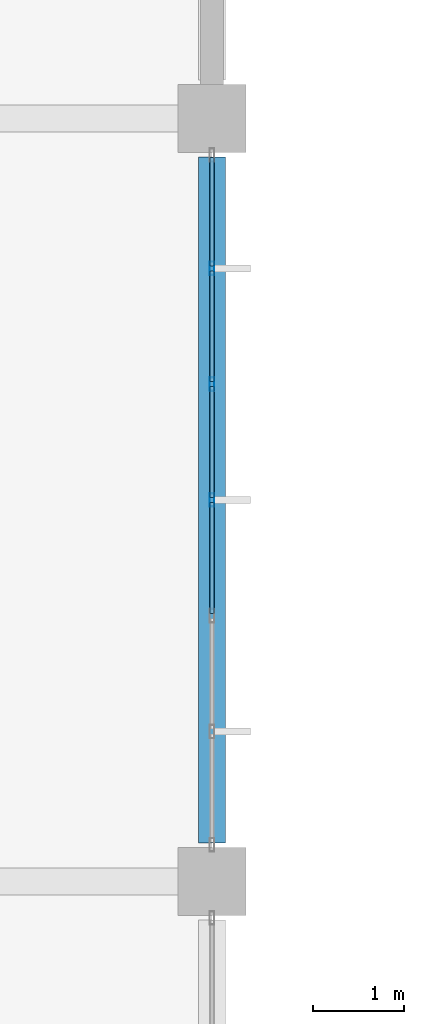
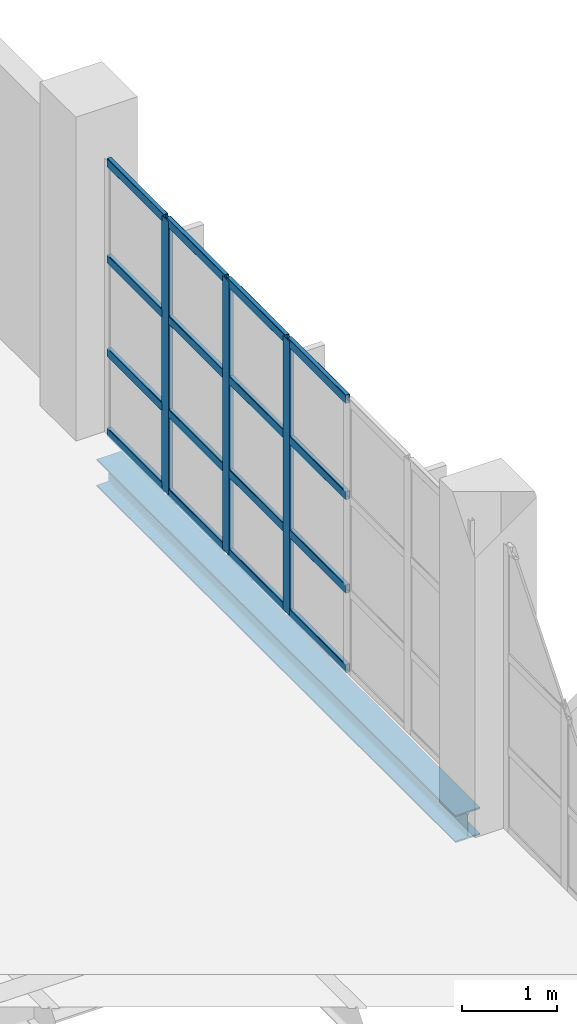
# One storey, part 59 of 177: 19 members, 1 beam, 1 element without a shape of its own.
"""IFC4 building model written with IfcOpenShell, lengths in metres."""

from ifc_helpers import new_model, si_unit, direction, frame, origin, origin_2d, place, context, subcontext, project, spatial, hollow_rectangle, i_section, extrude, material, layer, layer_set, material_profile, profile_set, type_object, element, aggregate, save


model = new_model("IFC4")

# Units and contexts
model_context = context("Model", 3, precision=1e-05, world=origin(), true_north=direction((0.0, 1.0)))
body_context = subcontext(model_context, "Body", "Model", "MODEL_VIEW")
ifc_project = project(units=[si_unit("LENGTHUNIT", "METRE"), si_unit("AREAUNIT", "SQUARE_METRE"), si_unit("VOLUMEUNIT", "CUBIC_METRE"), si_unit("PLANEANGLEUNIT", "RADIAN"), si_unit("MASSUNIT", "GRAM", prefix="KILO"), si_unit("THERMODYNAMICTEMPERATUREUNIT", "KELVIN"), si_unit("POWERUNIT", "WATT")], contexts=[model_context])

# Site, building, storey
site_placement = place(None, origin())
site = spatial("IfcSite", under=ifc_project, at=site_placement, CompositionType="ELEMENT")
building_placement = place(site_placement, origin())
building = spatial("IfcBuilding", under=site, at=building_placement, Name="Mavoryth Pier Ferry Terminal", CompositionType="ELEMENT")
storey_placement = place(building_placement, frame((0.0, 0.0, 5.43994140625)))
storey = spatial("IfcBuildingStorey", under=building, at=storey_placement, Name="L01", CompositionType="ELEMENT", Elevation=5.43994140625)

# Curtain wall, members
ifc_material_1 = material(Name="Anodised Aluminium and Solar-Control Low-E Glass", Category="aluminium")
ifc_layer = layer(ifc_material_1, 0.199951171875, Name="Anodised Aluminium and Solar-Control Low-E Glass", Category="aluminium")
ifc_layer_set = layer_set([ifc_layer], Name="Anodised Aluminium and Solar-Control Low-E Glass - CW-Concourse-Mod1200")
curtain_wall_type = type_object("IfcCurtainWallType", Name="CW-Concourse-Mod1200", PredefinedType="USERDEFINED", material=ifc_layer_set)
curtain_wall_placement = place(storey_placement, origin())
curtain_wall = element("IfcCurtainWall", 1, at=curtain_wall_placement, inside=storey, type_object=curtain_wall_type, Name="Curtain Wall CW-0111-020", ObjectType="UNITISED CURTAIN WALL", PredefinedType="USERDEFINED")
ifc_material_2 = material(Name="Anodised Aluminium EN AW-6063", Category="aluminium")
ifc_material_profile_1 = material_profile(ifc_material_2, hollow_rectangle(XDim=0.054931640625, YDim=0.14990234375, WallThickness=0.00390625, InnerFilletRadius=0.00390625, OuterFilletRadius=0.008056640625, at=origin_2d()), Name="AL-MULL 150x55x4", Category="aluminium")
ifc_profile_set_1 = profile_set([ifc_material_profile_1], Name="Anodised Aluminium EN AW-6063 - AL-MULL 150x55x4")
member_type_1 = type_object("IfcMemberType", Name="Mullion-Alum-150x55", PredefinedType="MULLION", material=ifc_profile_set_1)
member_1_placement = place(storey_placement, frame((33.60009765625, 76.60009765625, 0.0), z_axis=(0.0, 0.0, 1.0), x_axis=(-1.0, 0.0, 0.0)))
member_1 = element("IfcMember", 2, at=member_1_placement, type_object=member_type_1, Name="CW02 mullion 4", PredefinedType="MULLION", context=body_context, shape_type="SweptSolid", body=[
    extrude(hollow_rectangle(XDim=0.054931640625, YDim=0.14990234375, WallThickness=0.00390625, InnerFilletRadius=0.00390625, OuterFilletRadius=0.008056640625, at=origin_2d()), origin(), (0.0, 0.0, 1.0), 3.51513671875),
])
member_2_placement = place(storey_placement, frame((33.60009765625, 77.875, 0.0), z_axis=(0.0, 0.0, 1.0), x_axis=(-1.0, 0.0, 0.0)))
member_2 = element("IfcMember", 3, at=member_2_placement, type_object=member_type_1, Name="CW02 mullion 5", PredefinedType="MULLION", context=body_context, shape_type="SweptSolid", body=[
    extrude(hollow_rectangle(XDim=0.054931640625, YDim=0.14990234375, WallThickness=0.00390625, InnerFilletRadius=0.00390625, OuterFilletRadius=0.008056640625, at=origin_2d()), origin(), (0.0, 0.0, 1.0), 3.51513671875),
])
member_3_placement = place(storey_placement, frame((33.60009765625, 79.14990234375, 0.0), z_axis=(0.0, 0.0, 1.0), x_axis=(-1.0, 0.0, 0.0)))
member_3 = element("IfcMember", 4, at=member_3_placement, type_object=member_type_1, Name="CW02 mullion 6", PredefinedType="MULLION", context=body_context, shape_type="SweptSolid", body=[
    extrude(hollow_rectangle(XDim=0.054931640625, YDim=0.14990234375, WallThickness=0.00390625, InnerFilletRadius=0.00390625, OuterFilletRadius=0.008056640625, at=origin_2d()), origin(), (0.0, 0.0, 1.0), 3.51513671875),
])

# Beam
ifc_material_3 = material(Name="Steel S355J2", Category="steel")
ifc_material_profile_2 = material_profile(ifc_material_3, i_section(OverallWidth=0.300048828125, OverallDepth=0.35009765625, WebThickness=0.010009765625, FlangeThickness=0.017578125, FilletRadius=0.027099609375, at=origin_2d()), Name="HEA 360", Category="steel")
ifc_profile_set_2 = profile_set([ifc_material_profile_2], Name="Steel S355J2 - HEA 360")
beam_type = type_object("IfcBeamType", Name="Spandrel-Steel-HEA360", PredefinedType="SPANDREL", material=ifc_profile_set_2)
beam_placement = place(storey_placement, frame((33.60009765625, 72.824951171875, -0.454833984375), z_axis=(0.0, 1.0, 0.0), x_axis=(-1.0, 0.0, 0.0)))
element("IfcBeam", 5, at=beam_placement, inside=storey, type_object=beam_type, Name="Beam B01-SP03-0107", PredefinedType="SPANDREL", context=body_context, shape_type="SweptSolid", body=[
    extrude(i_section(OverallWidth=0.300048828125, OverallDepth=0.35009765625, WebThickness=0.010009765625, FlangeThickness=0.017578125, FilletRadius=0.027099609375, at=origin_2d()), origin(), (0.0, 0.0, 1.0), 7.550048828125),
])

# Member
ifc_material_profile_3 = material_profile(ifc_material_2, hollow_rectangle(XDim=0.054931640625, YDim=0.110107421875, WallThickness=0.00390625, InnerFilletRadius=0.00390625, OuterFilletRadius=0.008056640625, at=origin_2d()), Name="AL-TRAN 110x55x4", Category="aluminium")
ifc_profile_set_3 = profile_set([ifc_material_profile_3], Name="Anodised Aluminium EN AW-6063 - AL-TRAN 110x55x4")
member_type_2 = type_object("IfcMemberType", Name="Transom-Alum-110x55", PredefinedType="USERDEFINED", material=ifc_profile_set_3)
member_4_placement = place(storey_placement, frame((33.60009765625, 75.3525390625, 0.027587890625), z_axis=(0.0, 1.0, 0.0), x_axis=(-1.0, 0.0, 0.0)))
member_4 = element("IfcMember", 6, at=member_4_placement, type_object=member_type_2, Name="CW02 transom 3.1", ObjectType="TRANSOM", PredefinedType="USERDEFINED", context=body_context, shape_type="SweptSolid", body=[
    extrude(hollow_rectangle(XDim=0.054931640625, YDim=0.110107421875, WallThickness=0.00390625, InnerFilletRadius=0.00390625, OuterFilletRadius=0.008056640625, at=origin_2d()), origin(), (0.0, 0.0, 1.0), 1.219970703125),
])

member_5_placement = place(storey_placement, frame((33.60009765625, 75.3525390625, 1.050048828125), z_axis=(0.0, 1.0, 0.0), x_axis=(-1.0, 0.0, 0.0)))
member_5 = element("IfcMember", 7, at=member_5_placement, type_object=member_type_2, Name="CW02 transom 3.2", ObjectType="TRANSOM", PredefinedType="USERDEFINED", context=body_context, shape_type="SweptSolid", body=[
    extrude(hollow_rectangle(XDim=0.054931640625, YDim=0.110107421875, WallThickness=0.00390625, InnerFilletRadius=0.00390625, OuterFilletRadius=0.008056640625, at=origin_2d()), origin(), (0.0, 0.0, 1.0), 1.219970703125),
])

member_6_placement = place(storey_placement, frame((33.60009765625, 75.3525390625, 2.25), z_axis=(0.0, 1.0, 0.0), x_axis=(-1.0, 0.0, 0.0)))
member_6 = element("IfcMember", 8, at=member_6_placement, type_object=member_type_2, Name="CW02 transom 3.3", ObjectType="TRANSOM", PredefinedType="USERDEFINED", context=body_context, shape_type="SweptSolid", body=[
    extrude(hollow_rectangle(XDim=0.054931640625, YDim=0.110107421875, WallThickness=0.00390625, InnerFilletRadius=0.00390625, OuterFilletRadius=0.008056640625, at=origin_2d()), origin(), (0.0, 0.0, 1.0), 1.219970703125),
])

member_7_placement = place(storey_placement, frame((33.60009765625, 75.3525390625, 3.487548828125), z_axis=(0.0, 1.0, 0.0), x_axis=(-1.0, 0.0, 0.0)))
member_7 = element("IfcMember", 9, at=member_7_placement, type_object=member_type_2, Name="CW02 transom 3.4", ObjectType="TRANSOM", PredefinedType="USERDEFINED", context=body_context, shape_type="SweptSolid", body=[
    extrude(hollow_rectangle(XDim=0.054931640625, YDim=0.110107421875, WallThickness=0.00390625, InnerFilletRadius=0.00390625, OuterFilletRadius=0.008056640625, at=origin_2d()), origin(), (0.0, 0.0, 1.0), 1.219970703125),
])

member_8_placement = place(storey_placement, frame((33.60009765625, 76.62744140625, 0.027587890625), z_axis=(0.0, 1.0, 0.0), x_axis=(-1.0, 0.0, 0.0)))
member_8 = element("IfcMember", 10, at=member_8_placement, type_object=member_type_2, Name="CW02 transom 4.1", ObjectType="TRANSOM", PredefinedType="USERDEFINED", context=body_context, shape_type="SweptSolid", body=[
    extrude(hollow_rectangle(XDim=0.054931640625, YDim=0.110107421875, WallThickness=0.00390625, InnerFilletRadius=0.00390625, OuterFilletRadius=0.008056640625, at=origin_2d()), origin(), (0.0, 0.0, 1.0), 1.219970703125),
])

member_9_placement = place(storey_placement, frame((33.60009765625, 76.62744140625, 1.050048828125), z_axis=(0.0, 1.0, 0.0), x_axis=(-1.0, 0.0, 0.0)))
member_9 = element("IfcMember", 11, at=member_9_placement, type_object=member_type_2, Name="CW02 transom 4.2", ObjectType="TRANSOM", PredefinedType="USERDEFINED", context=body_context, shape_type="SweptSolid", body=[
    extrude(hollow_rectangle(XDim=0.054931640625, YDim=0.110107421875, WallThickness=0.00390625, InnerFilletRadius=0.00390625, OuterFilletRadius=0.008056640625, at=origin_2d()), origin(), (0.0, 0.0, 1.0), 1.219970703125),
])

member_10_placement = place(storey_placement, frame((33.60009765625, 76.62744140625, 2.25), z_axis=(0.0, 1.0, 0.0), x_axis=(-1.0, 0.0, 0.0)))
member_10 = element("IfcMember", 12, at=member_10_placement, type_object=member_type_2, Name="CW02 transom 4.3", ObjectType="TRANSOM", PredefinedType="USERDEFINED", context=body_context, shape_type="SweptSolid", body=[
    extrude(hollow_rectangle(XDim=0.054931640625, YDim=0.110107421875, WallThickness=0.00390625, InnerFilletRadius=0.00390625, OuterFilletRadius=0.008056640625, at=origin_2d()), origin(), (0.0, 0.0, 1.0), 1.219970703125),
])

member_11_placement = place(storey_placement, frame((33.60009765625, 76.62744140625, 3.487548828125), z_axis=(0.0, 1.0, 0.0), x_axis=(-1.0, 0.0, 0.0)))
member_11 = element("IfcMember", 13, at=member_11_placement, type_object=member_type_2, Name="CW02 transom 4.4", ObjectType="TRANSOM", PredefinedType="USERDEFINED", context=body_context, shape_type="SweptSolid", body=[
    extrude(hollow_rectangle(XDim=0.054931640625, YDim=0.110107421875, WallThickness=0.00390625, InnerFilletRadius=0.00390625, OuterFilletRadius=0.008056640625, at=origin_2d()), origin(), (0.0, 0.0, 1.0), 1.219970703125),
])

member_12_placement = place(storey_placement, frame((33.60009765625, 77.902587890625, 0.027587890625), z_axis=(0.0, 1.0, 0.0), x_axis=(-1.0, 0.0, 0.0)))
member_12 = element("IfcMember", 14, at=member_12_placement, type_object=member_type_2, Name="CW02 transom 5.1", ObjectType="TRANSOM", PredefinedType="USERDEFINED", context=body_context, shape_type="SweptSolid", body=[
    extrude(hollow_rectangle(XDim=0.054931640625, YDim=0.110107421875, WallThickness=0.00390625, InnerFilletRadius=0.00390625, OuterFilletRadius=0.008056640625, at=origin_2d()), origin(), (0.0, 0.0, 1.0), 1.219970703125),
])

member_13_placement = place(storey_placement, frame((33.60009765625, 77.902587890625, 1.050048828125), z_axis=(0.0, 1.0, 0.0), x_axis=(-1.0, 0.0, 0.0)))
member_13 = element("IfcMember", 15, at=member_13_placement, type_object=member_type_2, Name="CW02 transom 5.2", ObjectType="TRANSOM", PredefinedType="USERDEFINED", context=body_context, shape_type="SweptSolid", body=[
    extrude(hollow_rectangle(XDim=0.054931640625, YDim=0.110107421875, WallThickness=0.00390625, InnerFilletRadius=0.00390625, OuterFilletRadius=0.008056640625, at=origin_2d()), origin(), (0.0, 0.0, 1.0), 1.219970703125),
])

member_14_placement = place(storey_placement, frame((33.60009765625, 77.902587890625, 2.25), z_axis=(0.0, 1.0, 0.0), x_axis=(-1.0, 0.0, 0.0)))
member_14 = element("IfcMember", 16, at=member_14_placement, type_object=member_type_2, Name="CW02 transom 5.3", ObjectType="TRANSOM", PredefinedType="USERDEFINED", context=body_context, shape_type="SweptSolid", body=[
    extrude(hollow_rectangle(XDim=0.054931640625, YDim=0.110107421875, WallThickness=0.00390625, InnerFilletRadius=0.00390625, OuterFilletRadius=0.008056640625, at=origin_2d()), origin(), (0.0, 0.0, 1.0), 1.219970703125),
])

member_15_placement = place(storey_placement, frame((33.60009765625, 77.902587890625, 3.487548828125), z_axis=(0.0, 1.0, 0.0), x_axis=(-1.0, 0.0, 0.0)))
member_15 = element("IfcMember", 17, at=member_15_placement, type_object=member_type_2, Name="CW02 transom 5.4", ObjectType="TRANSOM", PredefinedType="USERDEFINED", context=body_context, shape_type="SweptSolid", body=[
    extrude(hollow_rectangle(XDim=0.054931640625, YDim=0.110107421875, WallThickness=0.00390625, InnerFilletRadius=0.00390625, OuterFilletRadius=0.008056640625, at=origin_2d()), origin(), (0.0, 0.0, 1.0), 1.219970703125),
])

member_16_placement = place(storey_placement, frame((33.60009765625, 79.177490234375, 0.027587890625), z_axis=(0.0, 1.0, 0.0), x_axis=(-1.0, 0.0, 0.0)))
member_16 = element("IfcMember", 18, at=member_16_placement, type_object=member_type_2, Name="CW02 transom 6.1", ObjectType="TRANSOM", PredefinedType="USERDEFINED", context=body_context, shape_type="SweptSolid", body=[
    extrude(hollow_rectangle(XDim=0.054931640625, YDim=0.110107421875, WallThickness=0.00390625, InnerFilletRadius=0.00390625, OuterFilletRadius=0.008056640625, at=origin_2d()), origin(), (0.0, 0.0, 1.0), 1.192626953125),
])

member_17_placement = place(storey_placement, frame((33.60009765625, 79.177490234375, 1.050048828125), z_axis=(0.0, 1.0, 0.0), x_axis=(-1.0, 0.0, 0.0)))
member_17 = element("IfcMember", 19, at=member_17_placement, type_object=member_type_2, Name="CW02 transom 6.2", ObjectType="TRANSOM", PredefinedType="USERDEFINED", context=body_context, shape_type="SweptSolid", body=[
    extrude(hollow_rectangle(XDim=0.054931640625, YDim=0.110107421875, WallThickness=0.00390625, InnerFilletRadius=0.00390625, OuterFilletRadius=0.008056640625, at=origin_2d()), origin(), (0.0, 0.0, 1.0), 1.192626953125),
])

member_18_placement = place(storey_placement, frame((33.60009765625, 79.177490234375, 2.25), z_axis=(0.0, 1.0, 0.0), x_axis=(-1.0, 0.0, 0.0)))
member_18 = element("IfcMember", 20, at=member_18_placement, type_object=member_type_2, Name="CW02 transom 6.3", ObjectType="TRANSOM", PredefinedType="USERDEFINED", context=body_context, shape_type="SweptSolid", body=[
    extrude(hollow_rectangle(XDim=0.054931640625, YDim=0.110107421875, WallThickness=0.00390625, InnerFilletRadius=0.00390625, OuterFilletRadius=0.008056640625, at=origin_2d()), origin(), (0.0, 0.0, 1.0), 1.192626953125),
])

member_19_placement = place(storey_placement, frame((33.60009765625, 79.177490234375, 3.487548828125), z_axis=(0.0, 1.0, 0.0), x_axis=(-1.0, 0.0, 0.0)))
member_19 = element("IfcMember", 21, at=member_19_placement, type_object=member_type_2, Name="CW02 transom 6.4", ObjectType="TRANSOM", PredefinedType="USERDEFINED", context=body_context, shape_type="SweptSolid", body=[
    extrude(hollow_rectangle(XDim=0.054931640625, YDim=0.110107421875, WallThickness=0.00390625, InnerFilletRadius=0.00390625, OuterFilletRadius=0.008056640625, at=origin_2d()), origin(), (0.0, 0.0, 1.0), 1.192626953125),
])

aggregate(curtain_wall, [member_1, member_2, member_3, member_4, member_5, member_6, member_7, member_8, member_9, member_10, member_11, member_12, member_13, member_14, member_15, member_16, member_17, member_18, member_19])

save(model, "model.ifc")
